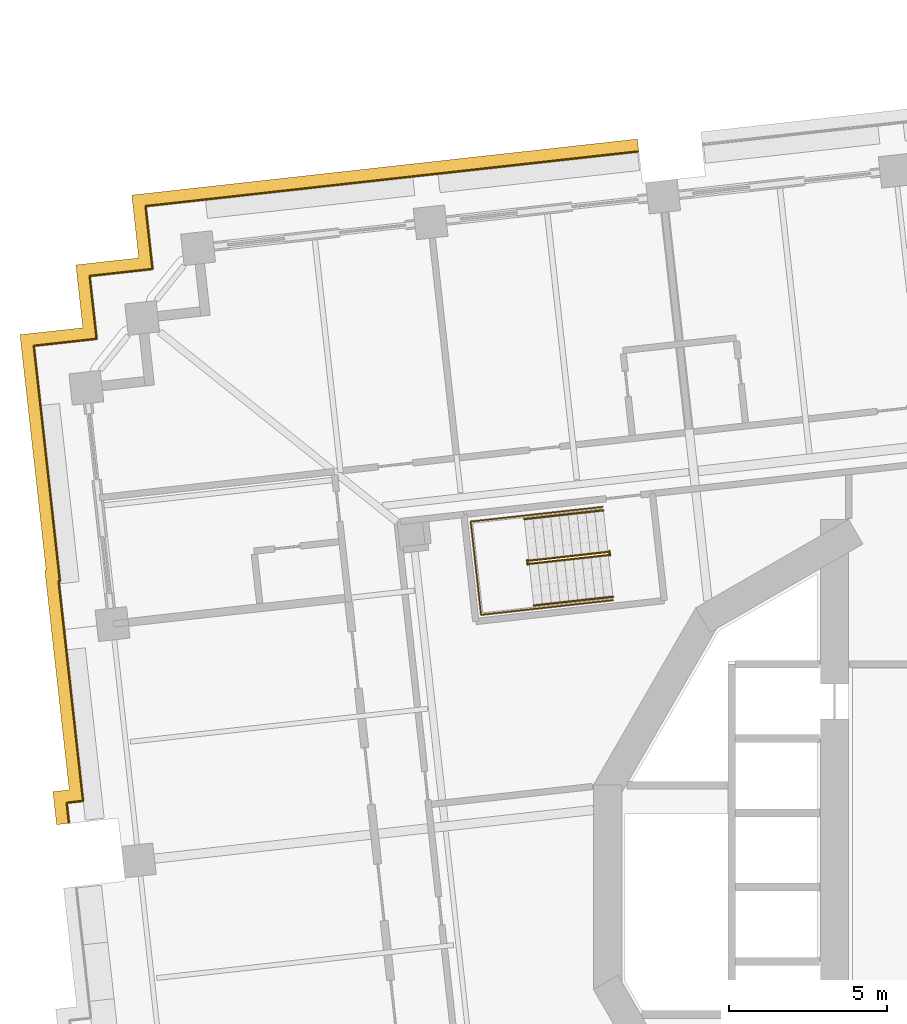
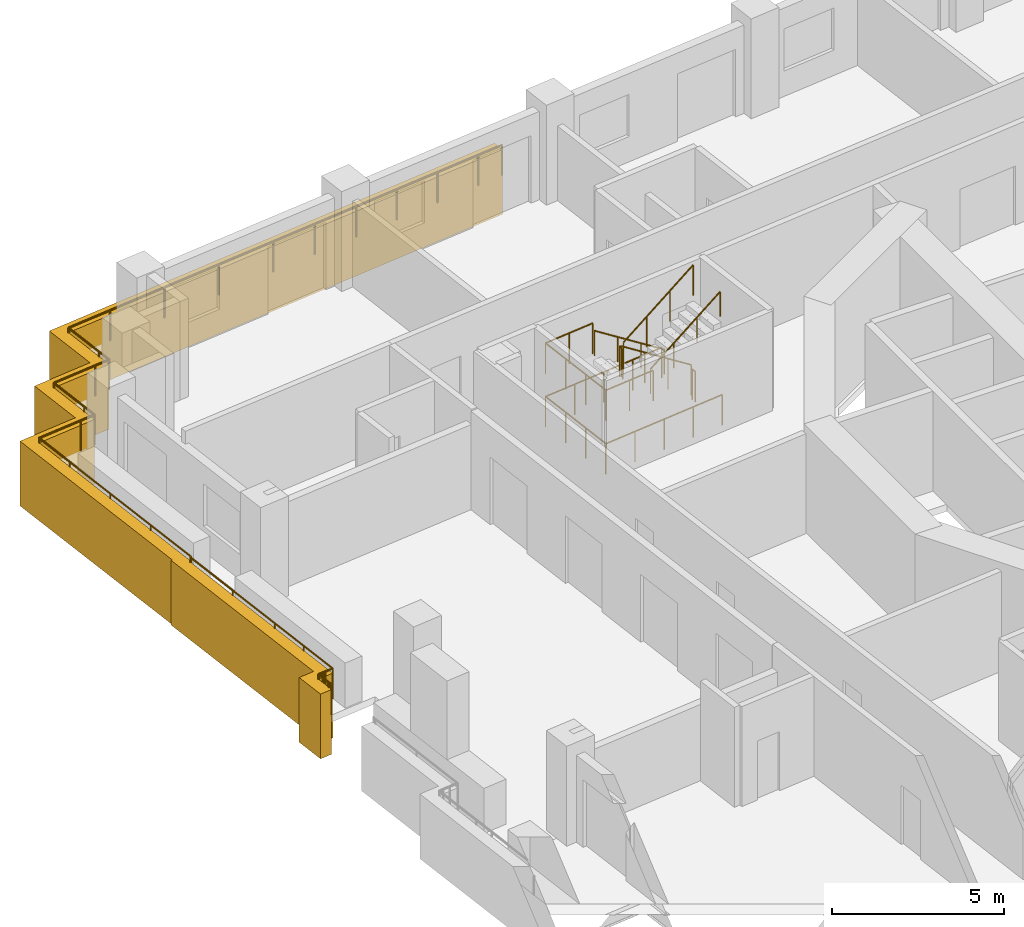
# One storey, part 16 of 19: 8 railings, 1 covering.
"""IFC4 building model written with IfcOpenShell, lengths in metres."""

from ifc_helpers import new_model, si_unit, direction, frame, origin, origin_2d, place, context, subcontext, project, spatial, polyline, circle, outline, extrude, material, type_object, element, save


model = new_model("IFC4")

# Units and contexts
model_context = context("Model", 3, precision=1e-05, world=origin(), true_north=direction((0.0, 1.0)))
body_context = subcontext(model_context, "Body", "Model", "MODEL_VIEW")
ifc_project = project(units=[si_unit("LENGTHUNIT", "METRE"), si_unit("AREAUNIT", "SQUARE_METRE"), si_unit("VOLUMEUNIT", "CUBIC_METRE"), si_unit("PLANEANGLEUNIT", "RADIAN"), si_unit("MASSUNIT", "GRAM", prefix="KILO")], contexts=[model_context])

# Site, building, storey
site_placement = place(None, origin())
site = spatial("IfcSite", under=ifc_project, at=site_placement, CompositionType="ELEMENT")
building_placement = place(site_placement, origin())
building = spatial("IfcBuilding", under=site, at=building_placement, Name="Cantera Rosa Tower", CompositionType="ELEMENT")
storey_placement = place(building_placement, frame((0.0, 0.0, 65.300048828125)))
storey = spatial("IfcBuildingStorey", under=building, at=storey_placement, Name="L13", CompositionType="ELEMENT", Elevation=65.300048828125)

# Railings
ifc_material_1 = material(Name="Stainless steel and laminated glass", Category="steel")
railing_type_1 = type_object("IfcRailingType", Name="GUARD 1100", PredefinedType="BALUSTRADE", material=ifc_material_1)
railing_1_placement = place(storey_placement, frame((-28.659423828125, 2.041015625, 0.0)))
element("IfcRailing", 1, at=railing_1_placement, inside=storey, type_object=railing_type_1, Name="GUARD L13-4", PredefinedType="BALUSTRADE", context=body_context, shape_type="SweptSolid", body=[
    extrude(circle(Radius=0.030029296875, at=origin_2d()), frame((0.0, 0.0, 1.070068359375), z_axis=(-0.111995854638, 0.99370867388, 0.0), x_axis=(-0.99370867388, -0.111995854638, 0.0)), (0.0, 0.0, 1.0), 0.119873046875),
    extrude(circle(Radius=0.030029296875, at=origin_2d()), frame((-0.013427734375, 0.119140625, 1.070068359375), z_axis=(-0.10378432962, 0.994599825521, 0.0), x_axis=(-0.994599825521, -0.10378432962, 0.0)), (0.0, 0.0, 1.0), 0.0283203125),
    extrude(circle(Radius=0.030029296875, at=origin_2d()), frame((-0.016357421875, 0.147216796875, 1.070068359375), z_axis=(-0.110598573154, 0.993865159675, 0.0), x_axis=(-0.993865159675, -0.110598573154, 0.0)), (0.0, 0.0, 1.0), 0.481201171875),
    extrude(circle(Radius=0.030029296875, at=origin_2d()), frame((-0.069580078125, 0.62548828125, 1.070068359375), z_axis=(0.993843932464, 0.110789159685, 0.0), x_axis=(-0.110789159685, 0.993843932464, 0.0)), (0.0, 0.0, 1.0), 0.14990234375),
    extrude(circle(Radius=0.030029296875, at=origin_2d()), frame((0.079345703125, 0.64208984375, 1.070068359375), z_axis=(1.0, 0.0, 0.0), x_axis=(0.0, 1.0, 0.0)), (0.0, 0.0, 1.0), 0.000244140625),
    extrude(circle(Radius=0.030029296875, at=origin_2d()), frame((0.07958984375, 0.64208984375, 1.070068359375), z_axis=(0.993820613335, 0.110998146424, 0.0), x_axis=(-0.110998146424, 0.993820613335, 0.0)), (0.0, 0.0, 1.0), 0.094482421875),
    extrude(circle(Radius=0.030029296875, at=origin_2d()), frame((0.173583984375, 0.652587890625, 1.070068359375), z_axis=(0.993883734674, 0.110431526075, 0.0), x_axis=(-0.110431526075, 0.993883734674, 0.0)), (0.0, 0.0, 1.0), 0.27197265625),
    extrude(circle(Radius=0.030029296875, at=origin_2d()), frame((0.44384765625, 0.6826171875, 1.070068359375), z_axis=(0.995893206468, 0.090535746043, 0.0), x_axis=(-0.090535746043, 0.995893206468, 0.0)), (0.0, 0.0, 1.0), 0.002685546875),
    extrude(circle(Radius=0.030029296875, at=origin_2d()), frame((0.446533203125, 0.682861328125, 1.070068359375), z_axis=(-0.066519010524, 0.997785157857, 0.0), x_axis=(-0.997785157857, -0.066519010524, 0.0)), (0.0, 0.0, 1.0), 0.003662109375),
    extrude(circle(Radius=0.030029296875, at=origin_2d()), frame((0.4462890625, 0.6865234375, 1.070068359375), z_axis=(-0.110308659015, 0.993897378881, 0.0), x_axis=(-0.993897378881, -0.110308659015, 0.0)), (0.0, 0.0, 1.0), 2.835205078125),
    extrude(circle(Radius=0.030029296875, at=origin_2d()), frame((0.133544921875, 3.50439453125, 1.070068359375), z_axis=(-0.110341387948, 0.993893745883, 0.0), x_axis=(-0.993893745883, -0.110341387948, 0.0)), (0.0, 0.0, 1.0), 4.161865234375),
    extrude(circle(Radius=0.030029296875, at=origin_2d()), frame((-0.32568359375, 7.640869140625, 1.070068359375), z_axis=(0.994030677348, 0.109100928002, 0.0), x_axis=(-0.109100928002, 0.994030677348, 0.0)), (0.0, 0.0, 1.0), 0.040283203125),
    extrude(circle(Radius=0.030029296875, at=origin_2d()), frame((-0.28564453125, 7.645263671875, 1.070068359375), z_axis=(-0.110315018508, 0.993896673046, 0.0), x_axis=(-0.993896673046, -0.110315018508, 0.0)), (0.0, 0.0, 1.0), 5.979736328125),
    extrude(circle(Radius=0.030029296875, at=origin_2d()), frame((-0.9453125, 13.588623046875, 1.070068359375), z_axis=(-0.110360064491, 0.993891672249, 0.0), x_axis=(-0.993891672249, -0.110360064491, 0.0)), (0.0, 0.0, 1.0), 1.5),
    extrude(circle(Radius=0.030029296875, at=origin_2d()), frame((-1.11083984375, 15.079345703125, 1.070068359375), z_axis=(0.993891672249, 0.110360064491, 0.0), x_axis=(-0.110360064491, 0.993891672249, 0.0)), (0.0, 0.0, 1.0), 1.5),
    extrude(circle(Radius=0.030029296875, at=origin_2d()), frame((0.3798828125, 15.244873046875, 1.070068359375), z_axis=(0.993895635261, 0.110324368158, 0.0), x_axis=(-0.110324368158, 0.993895635261, 0.0)), (0.0, 0.0, 1.0), 0.500244140625),
    extrude(circle(Radius=0.030029296875, at=origin_2d()), frame((0.876953125, 15.300048828125, 1.070068359375), z_axis=(-0.110324368158, 0.993895635261, 0.0), x_axis=(-0.993895635261, -0.110324368158, 0.0)), (0.0, 0.0, 1.0), 0.500244140625),
    extrude(circle(Radius=0.030029296875, at=origin_2d()), frame((0.82177734375, 15.797119140625, 1.070068359375), z_axis=(-0.110360064491, 0.993891672249, 0.0), x_axis=(-0.993891672249, -0.110360064491, 0.0)), (0.0, 0.0, 1.0), 1.5),
    extrude(circle(Radius=0.030029296875, at=origin_2d()), frame((0.65625, 17.287841796875, 1.070068359375), z_axis=(0.993893654236, 0.110342213455, 0.0), x_axis=(-0.110342213455, 0.993893654236, 0.0)), (0.0, 0.0, 1.0), 1.500244140625),
    extrude(circle(Radius=0.030029296875, at=origin_2d()), frame((2.147216796875, 17.453369140625, 1.070068359375), z_axis=(0.9938896893, 0.110377921269, 0.0), x_axis=(-0.110377921269, 0.9938896893, 0.0)), (0.0, 0.0, 1.0), 0.5),
    extrude(circle(Radius=0.030029296875, at=origin_2d()), frame((2.64404296875, 17.508544921875, 1.070068359375), z_axis=(-0.110377921269, 0.9938896893, 0.0), x_axis=(-0.9938896893, -0.110377921269, 0.0)), (0.0, 0.0, 1.0), 0.5),
    extrude(circle(Radius=0.030029296875, at=origin_2d()), frame((2.5888671875, 18.00537109375, 1.070068359375), z_axis=(-0.110181444005, 0.99391148972, 0.0), x_axis=(-0.99391148972, -0.110181444005, 0.0)), (0.0, 0.0, 1.0), 1.5),
    extrude(circle(Radius=0.030029296875, at=origin_2d()), frame((2.423583984375, 19.496337890625, 1.070068359375), z_axis=(0.993909513469, 0.110199269672, 0.0), x_axis=(-0.110199269672, 0.993909513469, 0.0)), (0.0, 0.0, 1.0), 1.499755859375),
    extrude(circle(Radius=0.030029296875, at=origin_2d()), frame((3.914306640625, 19.66162109375, 1.070068359375), z_axis=(0.993896343916, 0.1103179838, 0.0), x_axis=(-0.1103179838, 0.993896343916, 0.0)), (0.0, 0.0, 1.0), 5.900146484375),
    extrude(circle(Radius=0.030029296875, at=origin_2d()), frame((9.7783203125, 20.3125, 1.070068359375), z_axis=(0.993892663362, 0.110351138256, 0.0), x_axis=(-0.110351138256, 0.993892663362, 0.0)), (0.0, 0.0, 1.0), 3.0),
    extrude(circle(Radius=0.030029296875, at=origin_2d()), frame((12.760009765625, 20.6435546875, 1.070068359375), z_axis=(0.993897260817, 0.110309722784, 0.0), x_axis=(-0.110309722784, 0.993897260817, 0.0)), (0.0, 0.0, 1.0), 4.39990234375),
    extrude(circle(Radius=0.030029296875, at=origin_2d()), frame((17.133056640625, 21.12890625, 1.070068359375), z_axis=(0.993900832769, 0.110277534522, 0.0), x_axis=(-0.110277534522, 0.993900832769, 0.0)), (0.0, 0.0, 1.0), 0.8701171875),
    extrude(circle(Radius=0.02490234375, at=origin_2d()), origin(), (0.0, 0.0, 1.0), 1.0400390625),
    extrude(circle(Radius=0.02490234375, at=origin_2d()), frame((-0.013427734375, 0.119140625, 0.0)), (0.0, 0.0, 1.0), 1.0400390625),
    extrude(circle(Radius=0.02490234375, at=origin_2d()), frame((-0.016357421875, 0.147216796875, 0.0)), (0.0, 0.0, 1.0), 1.0400390625),
    extrude(circle(Radius=0.02490234375, at=origin_2d()), frame((-0.069580078125, 0.62548828125, 0.0)), (0.0, 0.0, 1.0), 1.0400390625),
    extrude(circle(Radius=0.02490234375, at=origin_2d()), frame((0.079345703125, 0.64208984375, 0.0)), (0.0, 0.0, 1.0), 1.0400390625),
    extrude(circle(Radius=0.02490234375, at=origin_2d()), frame((0.07958984375, 0.64208984375, 0.0)), (0.0, 0.0, 1.0), 1.0400390625),
    extrude(circle(Radius=0.02490234375, at=origin_2d()), frame((0.173583984375, 0.652587890625, 0.0)), (0.0, 0.0, 1.0), 1.0400390625),
    extrude(circle(Radius=0.02490234375, at=origin_2d()), frame((0.44384765625, 0.6826171875, 0.0)), (0.0, 0.0, 1.0), 1.0400390625),
    extrude(circle(Radius=0.02490234375, at=origin_2d()), frame((0.446533203125, 0.682861328125, 0.0)), (0.0, 0.0, 1.0), 1.0400390625),
    extrude(circle(Radius=0.02490234375, at=origin_2d()), frame((0.4462890625, 0.6865234375, 0.0)), (0.0, 0.0, 1.0), 1.0400390625),
    extrude(circle(Radius=0.02490234375, at=origin_2d()), frame((0.2900390625, 2.095458984375, 0.0)), (0.0, 0.0, 1.0), 1.0400390625),
    extrude(circle(Radius=0.02490234375, at=origin_2d()), frame((0.133544921875, 3.50439453125, 0.0)), (0.0, 0.0, 1.0), 1.0400390625),
    extrude(circle(Radius=0.02490234375, at=origin_2d()), frame((-0.09619140625, 5.57275390625, 0.0)), (0.0, 0.0, 1.0), 1.0400390625),
    extrude(circle(Radius=0.02490234375, at=origin_2d()), frame((-0.32568359375, 7.640869140625, 0.0)), (0.0, 0.0, 1.0), 1.0400390625),
    extrude(circle(Radius=0.02490234375, at=origin_2d()), frame((-0.28564453125, 7.645263671875, 0.0)), (0.0, 0.0, 1.0), 1.0400390625),
    extrude(circle(Radius=0.02490234375, at=origin_2d()), frame((-0.505615234375, 9.62646484375, 0.0)), (0.0, 0.0, 1.0), 1.0400390625),
    extrude(circle(Radius=0.02490234375, at=origin_2d()), frame((-0.725341796875, 11.607421875, 0.0)), (0.0, 0.0, 1.0), 1.0400390625),
    extrude(circle(Radius=0.02490234375, at=origin_2d()), frame((-0.9453125, 13.588623046875, 0.0)), (0.0, 0.0, 1.0), 1.0400390625),
    extrude(circle(Radius=0.02490234375, at=origin_2d()), frame((-1.11083984375, 15.079345703125, 0.0)), (0.0, 0.0, 1.0), 1.0400390625),
    extrude(circle(Radius=0.02490234375, at=origin_2d()), frame((0.3798828125, 15.244873046875, 0.0)), (0.0, 0.0, 1.0), 1.0400390625),
    extrude(circle(Radius=0.02490234375, at=origin_2d()), frame((0.876953125, 15.300048828125, 0.0)), (0.0, 0.0, 1.0), 1.0400390625),
    extrude(circle(Radius=0.02490234375, at=origin_2d()), frame((0.82177734375, 15.797119140625, 0.0)), (0.0, 0.0, 1.0), 1.0400390625),
    extrude(circle(Radius=0.02490234375, at=origin_2d()), frame((0.65625, 17.287841796875, 0.0)), (0.0, 0.0, 1.0), 1.0400390625),
    extrude(circle(Radius=0.02490234375, at=origin_2d()), frame((2.147216796875, 17.453369140625, 0.0)), (0.0, 0.0, 1.0), 1.0400390625),
    extrude(circle(Radius=0.02490234375, at=origin_2d()), frame((2.64404296875, 17.508544921875, 0.0)), (0.0, 0.0, 1.0), 1.0400390625),
    extrude(circle(Radius=0.02490234375, at=origin_2d()), frame((2.5888671875, 18.00537109375, 0.0)), (0.0, 0.0, 1.0), 1.0400390625),
    extrude(circle(Radius=0.02490234375, at=origin_2d()), frame((2.423583984375, 19.496337890625, 0.0)), (0.0, 0.0, 1.0), 1.0400390625),
    extrude(circle(Radius=0.02490234375, at=origin_2d()), frame((3.914306640625, 19.66162109375, 0.0)), (0.0, 0.0, 1.0), 1.0400390625),
    extrude(circle(Radius=0.02490234375, at=origin_2d()), frame((5.868896484375, 19.878662109375, 0.0)), (0.0, 0.0, 1.0), 1.0400390625),
    extrude(circle(Radius=0.02490234375, at=origin_2d()), frame((7.82373046875, 20.095458984375, 0.0)), (0.0, 0.0, 1.0), 1.0400390625),
    extrude(circle(Radius=0.02490234375, at=origin_2d()), frame((9.7783203125, 20.3125, 0.0)), (0.0, 0.0, 1.0), 1.0400390625),
    extrude(circle(Radius=0.02490234375, at=origin_2d()), frame((11.26904296875, 20.47802734375, 0.0)), (0.0, 0.0, 1.0), 1.0400390625),
    extrude(circle(Radius=0.02490234375, at=origin_2d()), frame((12.760009765625, 20.6435546875, 0.0)), (0.0, 0.0, 1.0), 1.0400390625),
    extrude(circle(Radius=0.02490234375, at=origin_2d()), frame((14.2177734375, 20.805419921875, 0.0)), (0.0, 0.0, 1.0), 1.0400390625),
    extrude(circle(Radius=0.02490234375, at=origin_2d()), frame((15.67529296875, 20.967041015625, 0.0)), (0.0, 0.0, 1.0), 1.0400390625),
    extrude(circle(Radius=0.02490234375, at=origin_2d()), frame((17.133056640625, 21.12890625, 0.0)), (0.0, 0.0, 1.0), 1.0400390625),
    extrude(circle(Radius=0.02490234375, at=origin_2d()), frame((17.997802734375, 21.224853515625, 0.0)), (0.0, 0.0, 1.0), 1.0400390625),
])
ifc_material_2 = material(Name="Steel S355J2 (EN 10025-2)", Category="steel")
railing_type_2 = type_object("IfcRailingType", Name="STAIR GUARD 1100", PredefinedType="GUARDRAIL", material=ifc_material_2)
railing_2_placement = place(storey_placement, frame((-11.614013671875, 10.60302734375, 0.18994140625)))
element("IfcRailing", 2, at=railing_2_placement, inside=storey, type_object=railing_type_2, Name="L13 ST-12 stair guard 1", PredefinedType="GUARDRAIL", context=body_context, shape_type="SweptSolid", body=[
    extrude(circle(Radius=0.02392578125, at=origin_2d()), frame((0.0, 0.0, 1.076171875), z_axis=(-0.822437355244, -0.09123050105, 0.561492468674), x_axis=(0.110250758185, -0.993903803353, 0.0)), (0.0, 0.0, 1.0), 3.04541015625),
    extrude(circle(Radius=0.02392578125, at=origin_2d()), frame((-2.504638671875, -0.27783203125, 2.7861328125), z_axis=(-0.932897555956, 0.360141847183, 0.0), x_axis=(-0.360141847183, -0.932897555956, 0.0)), (0.0, 0.0, 1.0), 0.05615234375),
    extrude(circle(Radius=0.02392578125, at=origin_2d()), frame((-2.55712890625, -0.257568359375, 2.7861328125), z_axis=(0.110610055588, -0.993863881828, 0.0), x_axis=(0.993863881828, 0.110610055588, 0.0)), (0.0, 0.0, 1.0), 0.150146484375),
    extrude(circle(Radius=0.02099609375, at=origin_2d()), origin(), (0.0, 0.0, 1.0), 1.052001953125),
    extrude(circle(Radius=0.02099609375, at=origin_2d()), frame((-0.8349609375, -0.092529296875, 0.570068359375)), (0.0, 0.0, 1.0), 1.052001953125),
    extrude(circle(Radius=0.02099609375, at=origin_2d()), frame((-1.669677734375, -0.185302734375, 1.139892578125)), (0.0, 0.0, 1.0), 1.052001953125),
    extrude(circle(Radius=0.02099609375, at=origin_2d()), frame((-2.504638671875, -0.27783203125, 1.7099609375)), (0.0, 0.0, 1.0), 1.052001953125),
    extrude(circle(Radius=0.02099609375, at=origin_2d()), frame((-2.55712890625, -0.257568359375, 1.7099609375)), (0.0, 0.0, 1.0), 1.052001953125),
    extrude(circle(Radius=0.02099609375, at=origin_2d()), frame((-2.54052734375, -0.40673828125, 1.7099609375)), (0.0, 0.0, 1.0), 1.052001953125),
])
railing_3_placement = place(storey_placement, frame((-14.107666015625, 10.227783203125, 2.08984375)))
element("IfcRailing", 3, at=railing_3_placement, inside=storey, type_object=railing_type_2, Name="L13 ST-12 stair guard 2", PredefinedType="GUARDRAIL", context=body_context, shape_type="SweptSolid", body=[
    extrude(circle(Radius=0.02392578125, at=origin_2d()), frame((0.0, 0.0, 1.076171875), z_axis=(0.822400334406, 0.091226394439, 0.561547357688), x_axis=(-0.110250758185, 0.993903803353, 0.0)), (0.0, 0.0, 1.0), 3.04541015625),
    extrude(circle(Radius=0.02099609375, at=origin_2d()), origin(), (0.0, 0.0, 1.0), 1.052001953125),
    extrude(circle(Radius=0.02099609375, at=origin_2d()), frame((0.8349609375, 0.092529296875, 0.570068359375)), (0.0, 0.0, 1.0), 1.052001953125),
    extrude(circle(Radius=0.02099609375, at=origin_2d()), frame((1.669677734375, 0.185302734375, 1.14013671875)), (0.0, 0.0, 1.0), 1.052001953125),
    extrude(circle(Radius=0.02099609375, at=origin_2d()), frame((2.504638671875, 0.27783203125, 1.710205078125)), (0.0, 0.0, 1.0), 1.052001953125),
])
railing_4_placement = place(storey_placement, frame((-11.567138671875, 10.634521484375, 0.0)))
element("IfcRailing", 4, at=railing_4_placement, inside=storey, type_object=railing_type_2, Name="L13 ST-12 stair guard 3", PredefinedType="GUARDRAIL", context=body_context, shape_type="SweptSolid", body=[
    extrude(circle(Radius=0.02392578125, at=origin_2d()), frame((0.0, 0.0, 1.076171875), z_axis=(0.110610055588, -0.993863881828, 0.0), x_axis=(0.993863881828, 0.110610055588, 0.0)), (0.0, 0.0, 1.0), 0.150146484375),
    extrude(circle(Radius=0.02099609375, at=origin_2d()), origin(), (0.0, 0.0, 1.0), 1.052001953125),
    extrude(circle(Radius=0.02099609375, at=origin_2d()), frame((0.0166015625, -0.149169921875, 0.0)), (0.0, 0.0, 1.0), 1.052001953125),
])
railing_5_placement = place(storey_placement, frame((-11.7841796875, 12.029052734375, 0.0)))
element("IfcRailing", 5, at=railing_5_placement, inside=storey, type_object=railing_type_2, Name="L13 ST-12 stair guard 4", PredefinedType="GUARDRAIL", context=body_context, shape_type="SweptSolid", body=[
    extrude(circle(Radius=0.02392578125, at=origin_2d()), frame((0.0, 0.0, 1.076171875), z_axis=(-0.9938957856, -0.110323013767, 0.0), x_axis=(0.110323013767, -0.9938957856, 0.0)), (0.0, 0.0, 1.0), 4.197998046875),
    extrude(circle(Radius=0.02392578125, at=origin_2d()), frame((-4.17236328125, -0.463134765625, 1.076171875), z_axis=(0.11023303584, -0.99390576908, 0.0), x_axis=(0.99390576908, 0.11023303584, 0.0)), (0.0, 0.0, 1.0), 2.969970703125),
    extrude(circle(Radius=0.02392578125, at=origin_2d()), frame((-3.844970703125, -3.4150390625, 1.076171875), z_axis=(0.993896493372, 0.11031663729, 0.0), x_axis=(-0.11031663729, 0.993896493372, 0.0)), (0.0, 0.0, 1.0), 4.1982421875),
    extrude(circle(Radius=0.02099609375, at=origin_2d()), origin(), (0.0, 0.0, 1.0), 1.052001953125),
    extrude(circle(Radius=0.02099609375, at=origin_2d()), frame((-1.04296875, -0.11572265625, 0.0)), (0.0, 0.0, 1.0), 1.052001953125),
    extrude(circle(Radius=0.02099609375, at=origin_2d()), frame((-2.086181640625, -0.2314453125, 0.0)), (0.0, 0.0, 1.0), 1.052001953125),
    extrude(circle(Radius=0.02099609375, at=origin_2d()), frame((-3.12939453125, -0.347412109375, 0.0)), (0.0, 0.0, 1.0), 1.052001953125),
    extrude(circle(Radius=0.02099609375, at=origin_2d()), frame((-4.17236328125, -0.463134765625, 0.0)), (0.0, 0.0, 1.0), 1.052001953125),
    extrude(circle(Radius=0.02099609375, at=origin_2d()), frame((-4.063232421875, -1.447021484375, 0.0)), (0.0, 0.0, 1.0), 1.052001953125),
    extrude(circle(Radius=0.02099609375, at=origin_2d()), frame((-3.9541015625, -2.43115234375, 0.0)), (0.0, 0.0, 1.0), 1.052001953125),
    extrude(circle(Radius=0.02099609375, at=origin_2d()), frame((-3.844970703125, -3.4150390625, 0.0)), (0.0, 0.0, 1.0), 1.052001953125),
    extrude(circle(Radius=0.02099609375, at=origin_2d()), frame((-2.8017578125, -3.29931640625, 0.0)), (0.0, 0.0, 1.0), 1.052001953125),
    extrude(circle(Radius=0.02099609375, at=origin_2d()), frame((-1.7587890625, -3.18359375, 0.0)), (0.0, 0.0, 1.0), 1.052001953125),
    extrude(circle(Radius=0.02099609375, at=origin_2d()), frame((-0.715576171875, -3.067626953125, 0.0)), (0.0, 0.0, 1.0), 1.052001953125),
    extrude(circle(Radius=0.02099609375, at=origin_2d()), frame((0.32763671875, -2.951904296875, 0.0)), (0.0, 0.0, 1.0), 1.052001953125),
])
railing_6_placement = place(storey_placement, frame((-14.26513671875, 11.753662109375, 1.89990234375)))
element("IfcRailing", 6, at=railing_6_placement, inside=storey, type_object=railing_type_2, Name="L13 ST-12 stair guard 5", PredefinedType="GUARDRAIL", context=body_context, shape_type="SweptSolid", body=[
    extrude(circle(Radius=0.02392578125, at=origin_2d()), frame((0.0, 0.0, 1.076171875), z_axis=(-0.99389597521, -0.110321305562, 0.0), x_axis=(0.110321305562, -0.99389597521, 0.0)), (0.0, 0.0, 1.0), 1.701904296875),
    extrude(circle(Radius=0.02392578125, at=origin_2d()), frame((-1.69140625, -0.187744140625, 1.076171875), z_axis=(0.11023303584, -0.99390576908, 0.0), x_axis=(0.99390576908, 0.11023303584, 0.0)), (0.0, 0.0, 1.0), 2.969970703125),
    extrude(circle(Radius=0.02392578125, at=origin_2d()), frame((-1.364013671875, -3.1396484375, 1.076171875), z_axis=(0.993897720867, 0.110305577623, 0.0), x_axis=(-0.110305577623, 0.993897720867, 0.0)), (0.0, 0.0, 1.0), 1.7021484375),
    extrude(circle(Radius=0.02099609375, at=origin_2d()), origin(), (0.0, 0.0, 1.0), 1.052001953125),
    extrude(circle(Radius=0.02099609375, at=origin_2d()), frame((-0.845703125, -0.09375, 0.0)), (0.0, 0.0, 1.0), 1.052001953125),
    extrude(circle(Radius=0.02099609375, at=origin_2d()), frame((-1.69140625, -0.187744140625, 0.0)), (0.0, 0.0, 1.0), 1.052001953125),
    extrude(circle(Radius=0.02099609375, at=origin_2d()), frame((-1.582275390625, -1.171630859375, 0.0)), (0.0, 0.0, 1.0), 1.052001953125),
    extrude(circle(Radius=0.02099609375, at=origin_2d()), frame((-1.47314453125, -2.15576171875, 0.0)), (0.0, 0.0, 1.0), 1.052001953125),
    extrude(circle(Radius=0.02099609375, at=origin_2d()), frame((-1.364013671875, -3.1396484375, 0.0)), (0.0, 0.0, 1.0), 1.052001953125),
    extrude(circle(Radius=0.02099609375, at=origin_2d()), frame((-0.51806640625, -3.0458984375, 0.0)), (0.0, 0.0, 1.0), 1.052001953125),
    extrude(circle(Radius=0.02099609375, at=origin_2d()), frame((0.32763671875, -2.951904296875, 0.0)), (0.0, 0.0, 1.0), 1.052001953125),
])
ifc_material_3 = material(Name="Steel S355J2 (EN 10025-2)", Category="steel")
railing_type_3 = type_object("IfcRailingType", Name="STAIR HANDRAIL 900", PredefinedType="HANDRAIL", material=ifc_material_3)
railing_7_placement = place(storey_placement, frame((-11.76025390625, 11.921142578125, 0.18994140625)))
element("IfcRailing", 7, at=railing_7_placement, inside=storey, type_object=railing_type_3, Name="L13 ST-12 stair handrail 1", PredefinedType="HANDRAIL", context=body_context, shape_type="SweptSolid", body=[
    extrude(circle(Radius=0.02392578125, at=origin_2d()), frame((0.0, 0.0, 0.8759765625), z_axis=(-0.822431337597, -0.091310000343, 0.561488360321), x_axis=(0.110346460196, -0.993893182753, 0.0)), (0.0, 0.0, 1.0), 3.04541015625),
    extrude(circle(Radius=0.02099609375, at=origin_2d()), origin(), (0.0, 0.0, 1.0), 0.851806640625),
    extrude(circle(Radius=0.02099609375, at=origin_2d()), frame((-0.8349609375, -0.0927734375, 0.570068359375)), (0.0, 0.0, 1.0), 0.851806640625),
    extrude(circle(Radius=0.02099609375, at=origin_2d()), frame((-1.669677734375, -0.185302734375, 1.139892578125)), (0.0, 0.0, 1.0), 0.851806640625),
    extrude(circle(Radius=0.02099609375, at=origin_2d()), frame((-2.504638671875, -0.278076171875, 1.7099609375)), (0.0, 0.0, 1.0), 0.851806640625),
])
railing_8_placement = place(storey_placement, frame((-13.96142578125, 8.909912109375, 2.08984375)))
element("IfcRailing", 8, at=railing_8_placement, inside=storey, type_object=railing_type_3, Name="L13 ST-12 stair handrail 2", PredefinedType="HANDRAIL", context=body_context, shape_type="SweptSolid", body=[
    extrude(circle(Radius=0.02392578125, at=origin_2d()), frame((0.0, 0.0, 0.8759765625), z_axis=(0.822400334406, 0.091226394439, 0.561547357688), x_axis=(-0.110250758185, 0.993903803353, 0.0)), (0.0, 0.0, 1.0), 3.04541015625),
    extrude(circle(Radius=0.02099609375, at=origin_2d()), origin(), (0.0, 0.0, 1.0), 0.851806640625),
    extrude(circle(Radius=0.02099609375, at=origin_2d()), frame((0.8349609375, 0.092529296875, 0.570068359375)), (0.0, 0.0, 1.0), 0.851806640625),
    extrude(circle(Radius=0.02099609375, at=origin_2d()), frame((1.669677734375, 0.185302734375, 1.14013671875)), (0.0, 0.0, 1.0), 0.851806640625),
    extrude(circle(Radius=0.02099609375, at=origin_2d()), frame((2.504638671875, 0.27783203125, 1.710205078125)), (0.0, 0.0, 1.0), 0.851806640625),
])

# Covering
ifc_material_4 = material(Name="Cantera stone", Category="masonry")
covering_type = type_object("IfcCoveringType", Name="TRAY FASCIA 400", PredefinedType="CLADDING", material=ifc_material_4)
covering_placement = place(storey_placement, frame((0.0, 0.0, -1.400146484375)))
element("IfcCovering", 9, at=covering_placement, inside=storey, type_object=covering_type, Name="TRAY FASCIA L13-01", PredefinedType="CLADDING", context=body_context, shape_type="SweptSolid", body=[
    extrude(outline(polyline([(-30.2119140625, 17.473876953125), (-28.323486328125, 17.68359375), (-28.22412109375, 17.694580078125), (-28.235107421875, 17.7939453125), (-28.44482421875, 19.682373046875), (-26.556396484375, 19.891845703125), (-26.45703125, 19.90283203125), (-26.468017578125, 20.002197265625), (-26.677734375, 21.890625), (-24.789306640625, 22.100341796875), (-18.92529296875, 22.751220703125), (-15.943603515625, 23.08203125), (-11.5703125, 23.5673828125), (-10.685791015625, 23.665771484375), (-10.6416015625, 23.26806640625), (-11.5263671875, 23.169921875), (-15.8994140625, 22.6845703125), (-18.881103515625, 22.353515625), (-24.7451171875, 21.70263671875), (-26.23583984375, 21.537353515625), (-26.070556640625, 20.04638671875), (-26.015380859375, 19.549560546875), (-26.51220703125, 19.494384765625), (-28.003173828125, 19.328857421875), (-27.837646484375, 17.838134765625), (-27.782470703125, 17.341064453125), (-28.279541015625, 17.285888671875), (-29.770263671875, 17.120361328125), (-29.604736328125, 15.629638671875), (-28.945068359375, 9.686279296875), (-28.985107421875, 9.681884765625), (-28.212646484375, 2.723876953125), (-28.72900390625, 2.66650390625), (-28.6572265625, 2.02099609375), (-29.054931640625, 1.97705078125), (-29.170654296875, 3.02001953125), (-28.654541015625, 3.077392578125), (-29.4267578125, 10.03515625), (-29.386962890625, 10.03955078125), (-30.00244140625, 15.58544921875), (-30.2119140625, 17.473876953125)])), origin(), (0.0, 0.0, 1.0), 2.300048828125),
])

save(model, "model.ifc")
